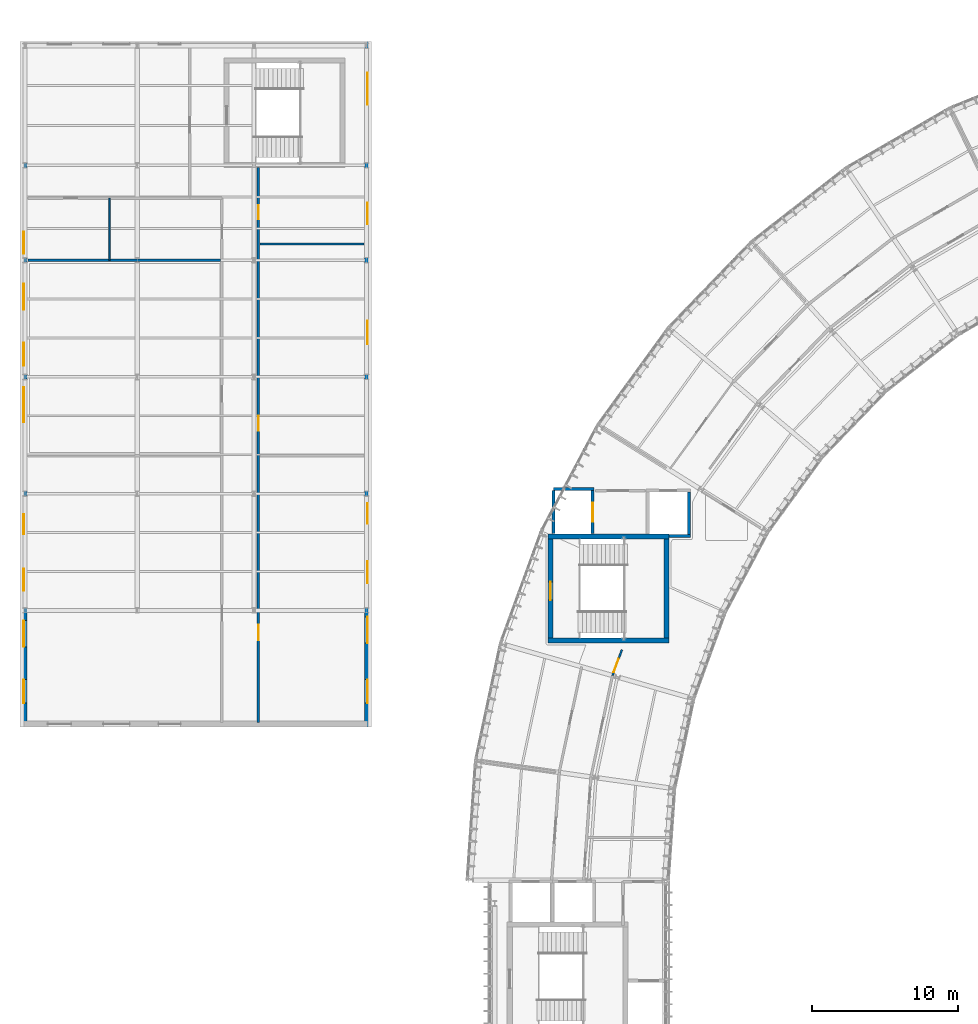
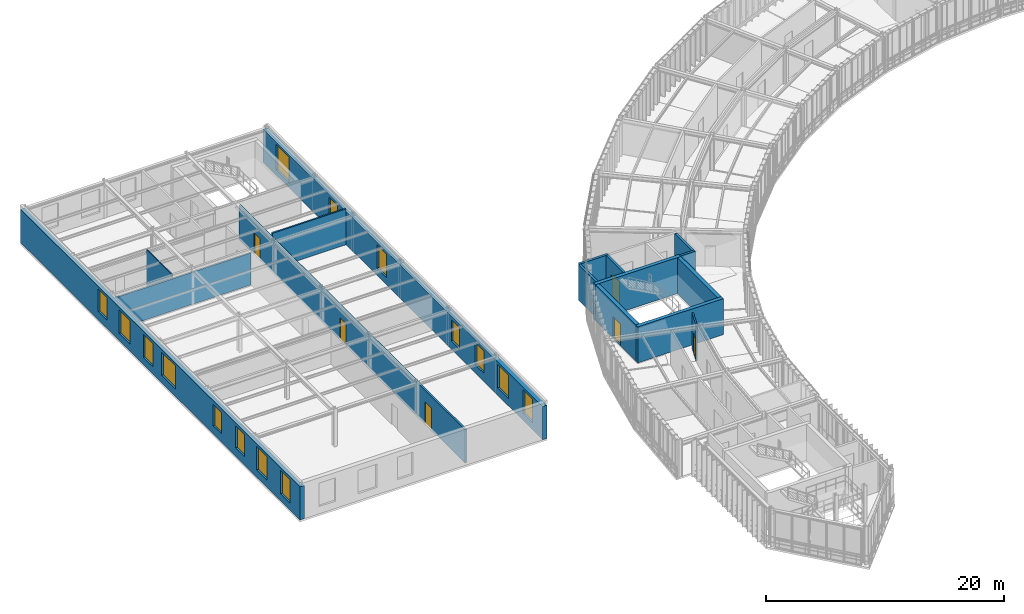
# One storey, part 28 of 41: 16 walls, 15 windows, 6 doors, 21 openings.
"""IFC4 building model written with IfcOpenShell, lengths in metres."""

from ifc_helpers import new_model, si_unit, direction, frame, frame_2d, origin, place, context, subcontext, project, spatial, rectangle, extrude, material, layer, layer_set, type_object, element, fill, save


model = new_model("IFC4")

# Units and contexts
model_context = context("Model", 3, precision=1e-05, world=origin(), true_north=direction((0.0, 1.0)))
body_context = subcontext(model_context, "Body", "Model", "MODEL_VIEW")
ifc_project = project(units=[si_unit("LENGTHUNIT", "METRE"), si_unit("AREAUNIT", "SQUARE_METRE"), si_unit("VOLUMEUNIT", "CUBIC_METRE"), si_unit("PLANEANGLEUNIT", "RADIAN"), si_unit("MASSUNIT", "GRAM", prefix="KILO"), si_unit("THERMODYNAMICTEMPERATUREUNIT", "KELVIN"), si_unit("POWERUNIT", "WATT")], contexts=[model_context])

# Site, building, storey
site_placement = place(None, origin())
site = spatial("IfcSite", under=ifc_project, at=site_placement, CompositionType="ELEMENT")
building_placement = place(site_placement, origin())
building = spatial("IfcBuilding", under=site, at=building_placement, Name="Solvatero Civic Police Headquarters", CompositionType="ELEMENT")
storey_placement = place(building_placement, frame((0.0, 0.0, 17.699951171875)))
storey = spatial("IfcBuildingStorey", under=building, at=storey_placement, Name="L04", CompositionType="ELEMENT", Elevation=17.699951171875)

# Wall, openings, windows
ifc_material_1 = material(Name="Cream Limestone Ashlar", Category="masonry")
ifc_layer_1 = layer(ifc_material_1, 0.419921875)
ifc_layer_set_1 = layer_set([ifc_layer_1], Name="Cream Limestone Ashlar")
wall_type_1 = type_object("IfcWallType", Name="WL-EXT-LIME-420", PredefinedType="SOLIDWALL", material=ifc_layer_set_1)
wall_1_placement = place(storey_placement, frame((4.719970703125, 36.5, 0.0), z_axis=(0.0, 0.0, 1.0), x_axis=(0.0, 1.0, 0.0)))
wall_1 = element("IfcWall", 1, at=wall_1_placement, inside=storey, type_object=wall_type_1, Name="Exterior Wall WLE-L04-V6-W", PredefinedType="SOLIDWALL", context=body_context, shape_type="SweptSolid", body=[
    extrude(rectangle(XDim=47.0, YDim=0.419921875, at=frame_2d((23.5, 0.0))), origin(), (0.0, 0.0, 1.0), 3.420166015625),
])
opening_1_placement = place(wall_1_placement, frame((1.64990234375, 0.0, 0.739990234375)))
opening_1 = element("IfcOpeningElement", 2, at=opening_1_placement, cuts=wall_1, Name="Opening W-04", PredefinedType="OPENING", context=body_context, shape_type="SweptSolid", body=[
    extrude(rectangle(XDim=1.60009765625, YDim=2.39990234375, at=frame_2d((0.800048828125, 1.199951171875))), frame((0.0, 0.219970703125, 0.0), z_axis=(0.0, -1.0, 0.0), x_axis=(1.0, 0.0, 0.0)), (0.0, 0.0, 1.0), 0.43994140625),
])
opening_2_placement = place(wall_1_placement, frame((5.5, 0.0, 0.739990234375)))
opening_2 = element("IfcOpeningElement", 3, at=opening_2_placement, cuts=wall_1, Name="Opening W-05", PredefinedType="OPENING", context=body_context, shape_type="SweptSolid", body=[
    extrude(rectangle(XDim=1.800048828125, YDim=2.39990234375, at=frame_2d((0.89990234375, 1.199951171875))), frame((0.0, 0.219970703125, 0.0), z_axis=(0.0, -1.0, 0.0), x_axis=(1.0, 0.0, 0.0)), (0.0, 0.0, 1.0), 0.43994140625),
])
opening_3_placement = place(wall_1_placement, frame((9.35009765625, 0.0, 0.840087890625)))
opening_3 = element("IfcOpeningElement", 4, at=opening_3_placement, cuts=wall_1, Name="Opening W-03", PredefinedType="OPENING", context=body_context, shape_type="SweptSolid", body=[
    extrude(rectangle(XDim=1.5, YDim=2.300048828125, at=frame_2d((0.75, 1.14990234375))), frame((0.0, 0.219970703125, 0.0), z_axis=(0.0, -1.0, 0.0), x_axis=(1.0, 0.0, 0.0)), (0.0, 0.0, 1.0), 0.43994140625),
])
opening_4_placement = place(wall_1_placement, frame((13.199951171875, 0.0, 0.85009765625)))
opening_4 = element("IfcOpeningElement", 5, at=opening_4_placement, cuts=wall_1, Name="Opening W-02", PredefinedType="OPENING", context=body_context, shape_type="SweptSolid", body=[
    extrude(rectangle(XDim=1.39990234375, YDim=2.199951171875, at=frame_2d((0.699951171875, 1.10009765625))), frame((0.0, 0.219970703125, 0.0), z_axis=(0.0, -1.0, 0.0), x_axis=(1.0, 0.0, 0.0)), (0.0, 0.0, 1.0), 0.43994140625),
])
opening_5_placement = place(wall_1_placement, frame((20.89990234375, 0.0, 0.739990234375)))
opening_5 = element("IfcOpeningElement", 6, at=opening_5_placement, cuts=wall_1, Name="Opening W-08", PredefinedType="OPENING", context=body_context, shape_type="SweptSolid", body=[
    extrude(rectangle(XDim=2.39990234375, YDim=2.39990234375, at=frame_2d((1.199951171875, 1.199951171875))), frame((0.0, 0.219970703125, 0.0), z_axis=(0.0, -1.0, 0.0), x_axis=(1.0, 0.0, 0.0)), (0.0, 0.0, 1.0), 0.43994140625),
])
opening_6_placement = place(wall_1_placement, frame((24.75, 0.0, 0.739990234375)))
opening_6 = element("IfcOpeningElement", 7, at=opening_6_placement, cuts=wall_1, Name="Opening W-04", PredefinedType="OPENING", context=body_context, shape_type="SweptSolid", body=[
    extrude(rectangle(XDim=1.60009765625, YDim=2.39990234375, at=frame_2d((0.800048828125, 1.199951171875))), frame((0.0, 0.219970703125, 0.0), z_axis=(0.0, -1.0, 0.0), x_axis=(1.0, 0.0, 0.0)), (0.0, 0.0, 1.0), 0.43994140625),
])
opening_7_placement = place(wall_1_placement, frame((28.60009765625, 0.0, 0.739990234375)))
opening_7 = element("IfcOpeningElement", 8, at=opening_7_placement, cuts=wall_1, Name="Opening W-05", PredefinedType="OPENING", context=body_context, shape_type="SweptSolid", body=[
    extrude(rectangle(XDim=1.800048828125, YDim=2.39990234375, at=frame_2d((0.89990234375, 1.199951171875))), frame((0.0, 0.219970703125, 0.0), z_axis=(0.0, -1.0, 0.0), x_axis=(1.0, 0.0, 0.0)), (0.0, 0.0, 1.0), 0.43994140625),
])
opening_8_placement = place(wall_1_placement, frame((32.449951171875, 0.0, 0.840087890625)))
opening_8 = element("IfcOpeningElement", 9, at=opening_8_placement, cuts=wall_1, Name="Opening W-03", PredefinedType="OPENING", context=body_context, shape_type="SweptSolid", body=[
    extrude(rectangle(XDim=1.5, YDim=2.300048828125, at=frame_2d((0.75, 1.14990234375))), frame((0.0, 0.219970703125, 0.0), z_axis=(0.0, -1.0, 0.0), x_axis=(1.0, 0.0, 0.0)), (0.0, 0.0, 1.0), 0.43994140625),
])
ifc_material_2 = material(Name="Anodized Bronze Aluminium", Category="aluminium")
window_type_1 = type_object("IfcWindowType", Name="WN-CL-140x220", PartitioningType="SINGLE_PANEL", PredefinedType="WINDOW", material=ifc_material_2)
window_1_placement = place(opening_4_placement, origin())
window_1 = element("IfcWindow", 10, at=window_1_placement, inside=storey, type_object=window_type_1, Name="Exterior Window 0113", OverallHeight=2.199951171875, OverallWidth=1.39990234375, PartitioningType="SINGLE_PANEL", PredefinedType="WINDOW", context=body_context, shape_type="SweptSolid", body=[
    extrude(rectangle(XDim=1.39990234375, YDim=2.199951171875, at=frame_2d((0.699951171875, 1.10009765625))), frame((0.0, 0.030029296875, 0.0), z_axis=(0.0, -1.0, 0.0), x_axis=(1.0, 0.0, 0.0)), (0.0, 0.0, 1.0), 0.06005859375),
])
fill(opening_4, window_1)
window_type_2 = type_object("IfcWindowType", Name="WN-CL-150x230", PartitioningType="SINGLE_PANEL", PredefinedType="WINDOW", material=ifc_material_2)
window_2_placement = place(opening_3_placement, origin())
window_2 = element("IfcWindow", 11, at=window_2_placement, inside=storey, type_object=window_type_2, Name="Exterior Window 0112", OverallHeight=2.300048828125, OverallWidth=1.5, PartitioningType="SINGLE_PANEL", PredefinedType="WINDOW", context=body_context, shape_type="SweptSolid", body=[
    extrude(rectangle(XDim=1.5, YDim=2.300048828125, at=frame_2d((0.75, 1.14990234375))), frame((0.0, 0.030029296875, 0.0), z_axis=(0.0, -1.0, 0.0), x_axis=(1.0, 0.0, 0.0)), (0.0, 0.0, 1.0), 0.06005859375),
])
fill(opening_3, window_2)
window_3_placement = place(opening_8_placement, origin())
window_3 = element("IfcWindow", 12, at=window_3_placement, inside=storey, type_object=window_type_2, Name="Exterior Window 0117", OverallHeight=2.300048828125, OverallWidth=1.5, PartitioningType="SINGLE_PANEL", PredefinedType="WINDOW", context=body_context, shape_type="SweptSolid", body=[
    extrude(rectangle(XDim=1.5, YDim=2.300048828125, at=frame_2d((0.75, 1.14990234375))), frame((0.0, 0.030029296875, 0.0), z_axis=(0.0, -1.0, 0.0), x_axis=(1.0, 0.0, 0.0)), (0.0, 0.0, 1.0), 0.06005859375),
])
fill(opening_8, window_3)
window_type_3 = type_object("IfcWindowType", Name="WN-CL-160x240", PartitioningType="SINGLE_PANEL", PredefinedType="WINDOW", material=ifc_material_2)
window_4_placement = place(opening_1_placement, origin())
window_4 = element("IfcWindow", 13, at=window_4_placement, inside=storey, type_object=window_type_3, Name="Exterior Window 0110", OverallHeight=2.39990234375, OverallWidth=1.60009765625, PartitioningType="SINGLE_PANEL", PredefinedType="WINDOW", context=body_context, shape_type="SweptSolid", body=[
    extrude(rectangle(XDim=1.60009765625, YDim=2.39990234375, at=frame_2d((0.800048828125, 1.199951171875))), frame((0.0, 0.030029296875, 0.0), z_axis=(0.0, -1.0, 0.0), x_axis=(1.0, 0.0, 0.0)), (0.0, 0.0, 1.0), 0.06005859375),
])
fill(opening_1, window_4)
window_5_placement = place(opening_6_placement, origin())
window_5 = element("IfcWindow", 14, at=window_5_placement, inside=storey, type_object=window_type_3, Name="Exterior Window 0115", OverallHeight=2.39990234375, OverallWidth=1.60009765625, PartitioningType="SINGLE_PANEL", PredefinedType="WINDOW", context=body_context, shape_type="SweptSolid", body=[
    extrude(rectangle(XDim=1.60009765625, YDim=2.39990234375, at=frame_2d((0.800048828125, 1.199951171875))), frame((0.0, 0.030029296875, 0.0), z_axis=(0.0, -1.0, 0.0), x_axis=(1.0, 0.0, 0.0)), (0.0, 0.0, 1.0), 0.06005859375),
])
fill(opening_6, window_5)
window_type_4 = type_object("IfcWindowType", Name="WN-CL-180x240", PartitioningType="SINGLE_PANEL", PredefinedType="WINDOW", material=ifc_material_2)
window_6_placement = place(opening_2_placement, origin())
window_6 = element("IfcWindow", 15, at=window_6_placement, inside=storey, type_object=window_type_4, Name="Exterior Window 0111", OverallHeight=2.39990234375, OverallWidth=1.800048828125, PartitioningType="SINGLE_PANEL", PredefinedType="WINDOW", context=body_context, shape_type="SweptSolid", body=[
    extrude(rectangle(XDim=1.800048828125, YDim=2.39990234375, at=frame_2d((0.89990234375, 1.199951171875))), frame((0.0, 0.030029296875, 0.0), z_axis=(0.0, -1.0, 0.0), x_axis=(1.0, 0.0, 0.0)), (0.0, 0.0, 1.0), 0.06005859375),
])
fill(opening_2, window_6)
window_7_placement = place(opening_7_placement, origin())
window_7 = element("IfcWindow", 16, at=window_7_placement, inside=storey, type_object=window_type_4, Name="Exterior Window 0116", OverallHeight=2.39990234375, OverallWidth=1.800048828125, PartitioningType="SINGLE_PANEL", PredefinedType="WINDOW", context=body_context, shape_type="SweptSolid", body=[
    extrude(rectangle(XDim=1.800048828125, YDim=2.39990234375, at=frame_2d((0.89990234375, 1.199951171875))), frame((0.0, 0.030029296875, 0.0), z_axis=(0.0, -1.0, 0.0), x_axis=(1.0, 0.0, 0.0)), (0.0, 0.0, 1.0), 0.06005859375),
])
fill(opening_7, window_7)
window_type_5 = type_object("IfcWindowType", Name="WN-CL-240x240", PartitioningType="SINGLE_PANEL", PredefinedType="WINDOW", material=ifc_material_2)
window_8_placement = place(opening_5_placement, origin())
window_8 = element("IfcWindow", 17, at=window_8_placement, inside=storey, type_object=window_type_5, Name="Exterior Window 0114", OverallHeight=2.39990234375, OverallWidth=2.39990234375, PartitioningType="SINGLE_PANEL", PredefinedType="WINDOW", context=body_context, shape_type="SweptSolid", body=[
    extrude(rectangle(XDim=2.39990234375, YDim=2.39990234375, at=frame_2d((1.199951171875, 1.199951171875))), frame((0.0, 0.030029296875, 0.0), z_axis=(0.0, -1.0, 0.0), x_axis=(1.0, 0.0, 0.0)), (0.0, 0.0, 1.0), 0.06005859375),
])
fill(opening_5, window_8)

wall_2_placement = place(storey_placement, frame((28.280029296875, 36.5, 0.0), z_axis=(0.0, 0.0, 1.0), x_axis=(0.0, 1.0, 0.0)))
wall_2 = element("IfcWall", 18, at=wall_2_placement, inside=storey, type_object=wall_type_1, Name="Exterior Wall WLE-L04-V6-E", PredefinedType="SOLIDWALL", context=body_context, shape_type="SweptSolid", body=[
    extrude(rectangle(XDim=47.0, YDim=0.419921875, at=frame_2d((23.5, 0.0))), origin(), (0.0, 0.0, 1.0), 3.420166015625),
])
opening_9_placement = place(wall_2_placement, frame((1.64990234375, 0.0, 0.739990234375)))
opening_9 = element("IfcOpeningElement", 19, at=opening_9_placement, cuts=wall_2, Name="Opening W-04", PredefinedType="OPENING", context=body_context, shape_type="SweptSolid", body=[
    extrude(rectangle(XDim=1.60009765625, YDim=2.39990234375, at=frame_2d((0.800048828125, 1.199951171875))), frame((0.0, 0.219970703125, 0.0), z_axis=(0.0, -1.0, 0.0), x_axis=(1.0, 0.0, 0.0)), (0.0, 0.0, 1.0), 0.43994140625),
])
opening_10_placement = place(wall_2_placement, frame((5.75, 0.0, 0.739990234375)))
opening_10 = element("IfcOpeningElement", 20, at=opening_10_placement, cuts=wall_2, Name="Opening W-05", PredefinedType="OPENING", context=body_context, shape_type="SweptSolid", body=[
    extrude(rectangle(XDim=1.800048828125, YDim=2.39990234375, at=frame_2d((0.89990234375, 1.199951171875))), frame((0.0, 0.219970703125, 0.0), z_axis=(0.0, -1.0, 0.0), x_axis=(1.0, 0.0, 0.0)), (0.0, 0.0, 1.0), 0.43994140625),
])
opening_11_placement = place(wall_2_placement, frame((9.85009765625, 0.0, 0.840087890625)))
opening_11 = element("IfcOpeningElement", 21, at=opening_11_placement, cuts=wall_2, Name="Opening W-03", PredefinedType="OPENING", context=body_context, shape_type="SweptSolid", body=[
    extrude(rectangle(XDim=1.5, YDim=2.300048828125, at=frame_2d((0.75, 1.14990234375))), frame((0.0, 0.219970703125, 0.0), z_axis=(0.0, -1.0, 0.0), x_axis=(1.0, 0.0, 0.0)), (0.0, 0.0, 1.0), 0.43994140625),
])
opening_12_placement = place(wall_2_placement, frame((13.949951171875, 0.0, 0.85009765625)))
opening_12 = element("IfcOpeningElement", 22, at=opening_12_placement, cuts=wall_2, Name="Opening W-02", PredefinedType="OPENING", context=body_context, shape_type="SweptSolid", body=[
    extrude(rectangle(XDim=1.39990234375, YDim=2.199951171875, at=frame_2d((0.699951171875, 1.10009765625))), frame((0.0, 0.219970703125, 0.0), z_axis=(0.0, -1.0, 0.0), x_axis=(1.0, 0.0, 0.0)), (0.0, 0.0, 1.0), 0.43994140625),
])
opening_13_placement = place(wall_2_placement, frame((26.25, 0.0, 0.739990234375)))
opening_13 = element("IfcOpeningElement", 23, at=opening_13_placement, cuts=wall_2, Name="Opening W-04", PredefinedType="OPENING", context=body_context, shape_type="SweptSolid", body=[
    extrude(rectangle(XDim=1.60009765625, YDim=2.39990234375, at=frame_2d((0.800048828125, 1.199951171875))), frame((0.0, 0.219970703125, 0.0), z_axis=(0.0, -1.0, 0.0), x_axis=(1.0, 0.0, 0.0)), (0.0, 0.0, 1.0), 0.43994140625),
])
opening_14_placement = place(wall_2_placement, frame((34.449951171875, 0.0, 0.840087890625)))
opening_14 = element("IfcOpeningElement", 24, at=opening_14_placement, cuts=wall_2, Name="Opening W-03", PredefinedType="OPENING", context=body_context, shape_type="SweptSolid", body=[
    extrude(rectangle(XDim=1.5, YDim=2.300048828125, at=frame_2d((0.75, 1.14990234375))), frame((0.0, 0.219970703125, 0.0), z_axis=(0.0, -1.0, 0.0), x_axis=(1.0, 0.0, 0.0)), (0.0, 0.0, 1.0), 0.43994140625),
])
opening_15_placement = place(wall_2_placement, frame((42.64990234375, 0.0, 0.5400390625)))
opening_15 = element("IfcOpeningElement", 25, at=opening_15_placement, cuts=wall_2, Name="Opening W-07", PredefinedType="OPENING", context=body_context, shape_type="SweptSolid", body=[
    extrude(rectangle(XDim=2.199951171875, YDim=2.60009765625, at=frame_2d((1.10009765625, 1.300048828125))), frame((0.0, 0.219970703125, 0.0), z_axis=(0.0, -1.0, 0.0), x_axis=(1.0, 0.0, 0.0)), (0.0, 0.0, 1.0), 0.43994140625),
])
window_9_placement = place(opening_12_placement, origin())
window_9 = element("IfcWindow", 26, at=window_9_placement, inside=storey, type_object=window_type_1, Name="Exterior Window 0106", OverallHeight=2.199951171875, OverallWidth=1.39990234375, PartitioningType="SINGLE_PANEL", PredefinedType="WINDOW", context=body_context, shape_type="SweptSolid", body=[
    extrude(rectangle(XDim=1.39990234375, YDim=2.199951171875, at=frame_2d((0.699951171875, 1.10009765625))), frame((0.0, 0.030029296875, 0.0), z_axis=(0.0, -1.0, 0.0), x_axis=(1.0, 0.0, 0.0)), (0.0, 0.0, 1.0), 0.06005859375),
])
fill(opening_12, window_9)
window_10_placement = place(opening_11_placement, origin())
window_10 = element("IfcWindow", 27, at=window_10_placement, inside=storey, type_object=window_type_2, Name="Exterior Window 0105", OverallHeight=2.300048828125, OverallWidth=1.5, PartitioningType="SINGLE_PANEL", PredefinedType="WINDOW", context=body_context, shape_type="SweptSolid", body=[
    extrude(rectangle(XDim=1.5, YDim=2.300048828125, at=frame_2d((0.75, 1.14990234375))), frame((0.0, 0.030029296875, 0.0), z_axis=(0.0, -1.0, 0.0), x_axis=(1.0, 0.0, 0.0)), (0.0, 0.0, 1.0), 0.06005859375),
])
fill(opening_11, window_10)
window_11_placement = place(opening_14_placement, origin())
window_11 = element("IfcWindow", 28, at=window_11_placement, inside=storey, type_object=window_type_2, Name="Exterior Window 0108", OverallHeight=2.300048828125, OverallWidth=1.5, PartitioningType="SINGLE_PANEL", PredefinedType="WINDOW", context=body_context, shape_type="SweptSolid", body=[
    extrude(rectangle(XDim=1.5, YDim=2.300048828125, at=frame_2d((0.75, 1.14990234375))), frame((0.0, 0.030029296875, 0.0), z_axis=(0.0, -1.0, 0.0), x_axis=(1.0, 0.0, 0.0)), (0.0, 0.0, 1.0), 0.06005859375),
])
fill(opening_14, window_11)
window_12_placement = place(opening_9_placement, origin())
window_12 = element("IfcWindow", 29, at=window_12_placement, inside=storey, type_object=window_type_3, Name="Exterior Window 0103", OverallHeight=2.39990234375, OverallWidth=1.60009765625, PartitioningType="SINGLE_PANEL", PredefinedType="WINDOW", context=body_context, shape_type="SweptSolid", body=[
    extrude(rectangle(XDim=1.60009765625, YDim=2.39990234375, at=frame_2d((0.800048828125, 1.199951171875))), frame((0.0, 0.030029296875, 0.0), z_axis=(0.0, -1.0, 0.0), x_axis=(1.0, 0.0, 0.0)), (0.0, 0.0, 1.0), 0.06005859375),
])
fill(opening_9, window_12)
window_13_placement = place(opening_13_placement, origin())
window_13 = element("IfcWindow", 30, at=window_13_placement, inside=storey, type_object=window_type_3, Name="Exterior Window 0107", OverallHeight=2.39990234375, OverallWidth=1.60009765625, PartitioningType="SINGLE_PANEL", PredefinedType="WINDOW", context=body_context, shape_type="SweptSolid", body=[
    extrude(rectangle(XDim=1.60009765625, YDim=2.39990234375, at=frame_2d((0.800048828125, 1.199951171875))), frame((0.0, 0.030029296875, 0.0), z_axis=(0.0, -1.0, 0.0), x_axis=(1.0, 0.0, 0.0)), (0.0, 0.0, 1.0), 0.06005859375),
])
fill(opening_13, window_13)
window_14_placement = place(opening_10_placement, origin())
window_14 = element("IfcWindow", 31, at=window_14_placement, inside=storey, type_object=window_type_4, Name="Exterior Window 0104", OverallHeight=2.39990234375, OverallWidth=1.800048828125, PartitioningType="SINGLE_PANEL", PredefinedType="WINDOW", context=body_context, shape_type="SweptSolid", body=[
    extrude(rectangle(XDim=1.800048828125, YDim=2.39990234375, at=frame_2d((0.89990234375, 1.199951171875))), frame((0.0, 0.030029296875, 0.0), z_axis=(0.0, -1.0, 0.0), x_axis=(1.0, 0.0, 0.0)), (0.0, 0.0, 1.0), 0.06005859375),
])
fill(opening_10, window_14)
window_type_6 = type_object("IfcWindowType", Name="WN-CL-220x260", PartitioningType="SINGLE_PANEL", PredefinedType="WINDOW", material=ifc_material_2)
window_15_placement = place(opening_15_placement, origin())
window_15 = element("IfcWindow", 32, at=window_15_placement, inside=storey, type_object=window_type_6, Name="Exterior Window 0109", OverallHeight=2.60009765625, OverallWidth=2.199951171875, PartitioningType="SINGLE_PANEL", PredefinedType="WINDOW", context=body_context, shape_type="SweptSolid", body=[
    extrude(rectangle(XDim=2.199951171875, YDim=2.60009765625, at=frame_2d((1.10009765625, 1.300048828125))), frame((0.0, 0.030029296875, 0.0), z_axis=(0.0, -1.0, 0.0), x_axis=(1.0, 0.0, 0.0)), (0.0, 0.0, 1.0), 0.06005859375),
])
fill(opening_15, window_15)

# Wall
ifc_material_3 = material(Name="Gypsum Acoustic Stud", Category="gypsum")
ifc_layer_2 = layer(ifc_material_3, 0.10009765625)
ifc_layer_set_2 = layer_set([ifc_layer_2], Name="Gypsum Acoustic Stud")
wall_type_2 = type_object("IfcWallType", Name="WL-PTN-100", PredefinedType="PARTITIONING", material=ifc_layer_set_2)
wall_3_placement = place(storey_placement, frame((10.60009765625, 68.5, 0.0), z_axis=(0.0, 0.0, 1.0), x_axis=(0.0, 1.0, 0.0)))
element("IfcWall", 33, at=wall_3_placement, inside=storey, type_object=wall_type_2, Name="Interior Partition WLP-L04-WC-M", PredefinedType="PARTITIONING", context=body_context, shape_type="SweptSolid", body=[
    extrude(rectangle(XDim=4.25, YDim=0.10009765625, at=frame_2d((2.125, 0.0))), origin(), (0.0, 0.0, 1.0), 3.679931640625),
])

# Wall, opening, door
ifc_material_4 = material(Name="Gypsum Double-Stud", Category="gypsum")
ifc_layer_3 = layer(ifc_material_4, 0.135009765625)
ifc_layer_set_3 = layer_set([ifc_layer_3], Name="Gypsum Double-Stud")
wall_type_3 = type_object("IfcWallType", Name="WL-PTN-135", PredefinedType="PARTITIONING", material=ifc_layer_set_3)
wall_4_placement = place(storey_placement, frame((45.716064453125, 41.800048828125, 0.0), z_axis=(0.0, 0.0, 1.0), x_axis=(-0.342003187451, -0.939698792046, 0.0)))
wall_4 = element("IfcWall", 34, at=wall_4_placement, inside=storey, type_object=wall_type_3, Name="Interior Partition WLP-L04-ARC-CIN-B10", PredefinedType="PARTITIONING", context=body_context, shape_type="SweptSolid", body=[
    extrude(rectangle(XDim=1.8837890625, YDim=0.135009765625, at=frame_2d((0.94189453125, 0.0))), origin(), (0.0, 0.0, 1.0), 3.679931640625),
])
opening_16_placement = place(wall_4_placement, frame((0.6640625, 0.0, 0.0)))
opening_16 = element("IfcOpeningElement", 35, at=opening_16_placement, cuts=wall_4, Name="Opening ID-05", PredefinedType="OPENING", context=body_context, shape_type="SweptSolid", body=[
    extrude(rectangle(XDim=0.97998046875, YDim=2.159912109375, at=frame_2d((0.489990234375, 1.080078125))), frame((0.0, 0.077392578125, 0.0), z_axis=(0.0, -1.0, 0.0), x_axis=(1.0, 0.0, 0.0)), (0.0, 0.0, 1.0), 0.155029296875),
])
ifc_material_5 = material(Name="Powder-Coated Steel", Category="steel")
door_type_1 = type_object("IfcDoorType", Name="DR-OFF-098x216", OperationType="NOTDEFINED", PredefinedType="DOOR", material=ifc_material_5)
door_1_placement = place(opening_16_placement, origin())
door_1 = element("IfcDoor", 36, at=door_1_placement, inside=storey, type_object=door_type_1, Name="Interior Door DR-L04-ARC-IN-B10", OperationType="SINGLE_SWING_RIGHT", OverallHeight=2.159912109375, OverallWidth=0.97998046875, PredefinedType="DOOR", context=body_context, shape_type="SweptSolid", body=[
    extrude(rectangle(XDim=0.97998046875, YDim=2.159912109375, at=frame_2d((0.489990234375, 1.080078125))), frame((0.0, 0.02490234375, 0.0), z_axis=(0.0, -1.0, 0.0), x_axis=(1.0, 0.0, 0.0)), (0.0, 0.0, 1.0), 0.050048828125),
])
fill(opening_16, door_1)

# Walls
ifc_layer_4 = layer(ifc_material_3, 0.14990234375)
ifc_layer_set_4 = layer_set([ifc_layer_4], Name="Gypsum Acoustic Stud")
wall_type_4 = type_object("IfcWallType", Name="WL-PTN-150", PredefinedType="PARTITIONING", material=ifc_layer_set_4)
wall_5_placement = place(storey_placement, frame((5.0, 68.5, 0.0), z_axis=(0.0, 0.0, 1.0), x_axis=(1.0, 0.0, 0.0)))
element("IfcWall", 37, at=wall_5_placement, inside=storey, type_object=wall_type_4, Name="Interior Partition WLP-L04-WC-S", PredefinedType="PARTITIONING", context=body_context, shape_type="SweptSolid", body=[
    extrude(rectangle(XDim=13.199951171875, YDim=0.14990234375, at=frame_2d((6.60009765625, 0.0))), origin(), (0.0, 0.0, 1.0), 3.2900390625),
])
wall_6_placement = place(storey_placement, frame((20.89990234375, 69.60009765625, 0.0), z_axis=(0.0, 0.0, 1.0), x_axis=(1.0, 0.0, 0.0)))
element("IfcWall", 38, at=wall_6_placement, inside=storey, type_object=wall_type_4, Name="Interior Partition WLP-L04-WCA-S", PredefinedType="PARTITIONING", context=body_context, shape_type="SweptSolid", body=[
    extrude(rectangle(XDim=7.150146484375, YDim=0.14990234375, at=frame_2d((3.5751953125, 0.0))), origin(), (0.0, 0.0, 1.0), 3.679931640625),
])

# Wall, openings, doors
ifc_material_6 = material(Name="Concrete Blockwork", Category="masonry")
ifc_layer_5 = layer(ifc_material_6, 0.179931640625)
ifc_layer_set_5 = layer_set([ifc_layer_5], Name="Concrete Blockwork")
wall_type_5 = type_object("IfcWallType", Name="WL-PTN-180", PredefinedType="PARTITIONING", material=ifc_layer_set_5)
wall_7_placement = place(storey_placement, frame((20.800048828125, 36.800048828125, 0.0), z_axis=(0.0, 0.0, 1.0), x_axis=(0.0, 1.0, 0.0)))
wall_7 = element("IfcWall", 39, at=wall_7_placement, inside=storey, type_object=wall_type_5, Name="Interior Partition WLP-L04-V6-CE", PredefinedType="PARTITIONING", context=body_context, shape_type="SweptSolid", body=[
    extrude(rectangle(XDim=38.050048828125, YDim=0.179931640625, at=frame_2d((19.02490234375, 0.0))), origin(), (0.0, 0.0, 1.0), 3.41796875),
])
opening_17_placement = place(wall_7_placement, frame((5.64990234375, 0.0, 0.0)))
opening_17 = element("IfcOpeningElement", 40, at=opening_17_placement, cuts=wall_7, Name="Opening ID-08", PredefinedType="OPENING", context=body_context, shape_type="SweptSolid", body=[
    extrude(rectangle(XDim=1.080078125, YDim=2.219970703125, at=frame_2d((0.5400390625, 1.10986328125))), frame((0.0, 0.099853515625, 0.0), z_axis=(0.0, -1.0, 0.0), x_axis=(1.0, 0.0, 0.0)), (0.0, 0.0, 1.0), 0.199951171875),
])
opening_18_placement = place(wall_7_placement, frame((20.0, 0.0, 0.0)))
opening_18 = element("IfcOpeningElement", 41, at=opening_18_placement, cuts=wall_7, Name="Opening ID-07", PredefinedType="OPENING", context=body_context, shape_type="SweptSolid", body=[
    extrude(rectangle(XDim=1.050048828125, YDim=2.199951171875, at=frame_2d((0.52490234375, 1.10009765625))), frame((0.0, 0.099853515625, 0.0), z_axis=(0.0, -1.0, 0.0), x_axis=(1.0, 0.0, 0.0)), (0.0, 0.0, 1.0), 0.199951171875),
])
opening_19_placement = place(wall_7_placement, frame((34.5, 0.0, 0.0)))
opening_19 = element("IfcOpeningElement", 42, at=opening_19_placement, cuts=wall_7, Name="Opening ID-04", PredefinedType="OPENING", context=body_context, shape_type="SweptSolid", body=[
    extrude(rectangle(XDim=0.949951171875, YDim=2.14990234375, at=frame_2d((0.47509765625, 1.074951171875))), frame((0.0, 0.099853515625, 0.0), z_axis=(0.0, -1.0, 0.0), x_axis=(1.0, 0.0, 0.0)), (0.0, 0.0, 1.0), 0.199951171875),
])
ifc_material_7 = material(Name="Acoustic Oak Timber Veneer", Category="wood")
door_type_2 = type_object("IfcDoorType", Name="DR-ACC-095x215", OperationType="NOTDEFINED", PredefinedType="DOOR", material=ifc_material_7)
door_2_placement = place(opening_19_placement, origin())
door_2 = element("IfcDoor", 43, at=door_2_placement, inside=storey, type_object=door_type_2, Name="Interior Door DR-L04-WCA", OperationType="SINGLE_SWING_RIGHT", OverallHeight=2.14990234375, OverallWidth=0.949951171875, PredefinedType="DOOR", context=body_context, shape_type="SweptSolid", body=[
    extrude(rectangle(XDim=0.949951171875, YDim=2.14990234375, at=frame_2d((0.47509765625, 1.074951171875))), frame((0.0, 0.02490234375, 0.0), z_axis=(0.0, -1.0, 0.0), x_axis=(1.0, 0.0, 0.0)), (0.0, 0.0, 1.0), 0.050048828125),
])
fill(opening_19, door_2)
door_type_3 = type_object("IfcDoorType", Name="DR-LAB-105x220", OperationType="NOTDEFINED", PredefinedType="DOOR", material=ifc_material_5)
door_3_placement = place(opening_18_placement, origin())
door_3 = element("IfcDoor", 44, at=door_3_placement, inside=storey, type_object=door_type_3, Name="Interior Door DR-L04-V6-NE", OperationType="SINGLE_SWING_LEFT", OverallHeight=2.199951171875, OverallWidth=1.050048828125, PredefinedType="DOOR", context=body_context, shape_type="SweptSolid", body=[
    extrude(rectangle(XDim=1.050048828125, YDim=2.199951171875, at=frame_2d((0.52490234375, 1.10009765625))), frame((0.0, 0.02490234375, 0.0), z_axis=(0.0, -1.0, 0.0), x_axis=(1.0, 0.0, 0.0)), (0.0, 0.0, 1.0), 0.050048828125),
])
fill(opening_18, door_3)
door_type_4 = type_object("IfcDoorType", Name="DR-LAB-108x222", OperationType="NOTDEFINED", PredefinedType="DOOR", material=ifc_material_5)
door_4_placement = place(opening_17_placement, origin())
door_4 = element("IfcDoor", 45, at=door_4_placement, inside=storey, type_object=door_type_4, Name="Interior Door DR-L04-V6-SE", OperationType="SINGLE_SWING_RIGHT", OverallHeight=2.219970703125, OverallWidth=1.080078125, PredefinedType="DOOR", context=body_context, shape_type="SweptSolid", body=[
    extrude(rectangle(XDim=1.080078125, YDim=2.219970703125, at=frame_2d((0.5400390625, 1.10986328125))), frame((0.0, 0.02490234375, 0.0), z_axis=(0.0, -1.0, 0.0), x_axis=(1.0, 0.0, 0.0)), (0.0, 0.0, 1.0), 0.050048828125),
])
fill(opening_17, door_4)

# Walls
ifc_material_8 = material(Name="Concrete C35/45", Category="concrete")
ifc_layer_6 = layer(ifc_material_8, 0.219970703125)
ifc_layer_set_6 = layer_set([ifc_layer_6], Name="Concrete C35/45")
wall_type_6 = type_object("IfcWallType", Name="WL-SHF-220", PredefinedType="PARTITIONING", material=ifc_layer_set_6)
wall_8_placement = place(storey_placement, frame((41.02001953125, 52.81005859375, 0.0), z_axis=(0.0, 0.0, 1.0), x_axis=(1.0, 0.0, 0.0)))
element("IfcWall", 46, at=wall_8_placement, inside=storey, type_object=wall_type_6, Name="Lift Shaft Wall WLS-FL-02-L04-N", PredefinedType="PARTITIONING", context=body_context, shape_type="SweptSolid", body=[
    extrude(rectangle(XDim=2.800048828125, YDim=0.219970703125, at=frame_2d((1.39990234375, 0.0))), origin(), (0.0, 0.0, 1.0), 3.679931640625),
])
wall_9_placement = place(storey_placement, frame((41.02001953125, 49.760009765625, 0.0), z_axis=(0.0, 0.0, 1.0), x_axis=(0.0, 1.0, 0.0)))
element("IfcWall", 47, at=wall_9_placement, inside=storey, type_object=wall_type_6, Name="Lift Shaft Wall WLS-FL-02-L04-W", PredefinedType="PARTITIONING", context=body_context, shape_type="SweptSolid", body=[
    extrude(rectangle(XDim=2.93994140625, YDim=0.219970703125, at=frame_2d((1.469970703125, 0.0))), origin(), (0.0, 0.0, 1.0), 3.679931640625),
])

# Wall, opening, door
wall_10_placement = place(storey_placement, frame((43.7099609375, 49.760009765625, 0.0), z_axis=(0.0, 0.0, 1.0), x_axis=(0.0, 1.0, 0.0)))
wall_10 = element("IfcWall", 48, at=wall_10_placement, inside=storey, type_object=wall_type_6, Name="Lift Shaft Wall WLS-FL-02-L04-E", PredefinedType="PARTITIONING", context=body_context, shape_type="SweptSolid", body=[
    extrude(rectangle(XDim=2.93994140625, YDim=0.219970703125, at=frame_2d((1.469970703125, 0.0))), origin(), (0.0, 0.0, 1.0), 3.679931640625),
])
opening_20_placement = place(wall_10_placement, frame((0.820068359375, 0.0, 0.0)))
opening_20 = element("IfcOpeningElement", 49, at=opening_20_placement, cuts=wall_10, Name="Opening LD-02", PredefinedType="OPENING", context=body_context, shape_type="SweptSolid", body=[
    extrude(rectangle(XDim=1.300048828125, YDim=2.199951171875, at=frame_2d((0.64990234375, 1.10009765625))), frame((0.0, 0.119873046875, 0.0), z_axis=(0.0, -1.0, 0.0), x_axis=(1.0, 0.0, 0.0)), (0.0, 0.0, 1.0), 0.239990234375),
])
ifc_material_9 = material(Name="Stainless Steel Grade 316", Category="steel")
door_type_5 = type_object("IfcDoorType", Name="DR-LFT-130x220", OperationType="DOUBLE_DOOR_SLIDING", PredefinedType="DOOR", material=ifc_material_9)
door_5_placement = place(opening_20_placement, origin())
door_5 = element("IfcDoor", 50, at=door_5_placement, inside=storey, type_object=door_type_5, Name="Interior Door DR-LFT-FL-02-L04", OperationType="DOUBLE_DOOR_SLIDING", OverallHeight=2.199951171875, OverallWidth=1.300048828125, PredefinedType="DOOR", context=body_context, shape_type="SweptSolid", body=[
    extrude(rectangle(XDim=1.300048828125, YDim=2.199951171875, at=frame_2d((0.64990234375, 1.10009765625))), frame((0.0, 0.02490234375, 0.0), z_axis=(0.0, -1.0, 0.0), x_axis=(1.0, 0.0, 0.0)), (0.0, 0.0, 1.0), 0.050048828125),
])
fill(opening_20, door_5)

# Walls
wall_11_placement = place(storey_placement, frame((48.9599609375, 49.590087890625, 0.0), z_axis=(0.0, 0.0, 1.0), x_axis=(1.0, 0.0, 0.0)))
element("IfcWall", 51, at=wall_11_placement, inside=storey, type_object=wall_type_6, Name="Lift Shaft Wall WLS-LP-03-L04-S", PredefinedType="PARTITIONING", context=body_context, shape_type="SweptSolid", body=[
    extrude(rectangle(XDim=1.4599609375, YDim=0.219970703125, at=frame_2d((0.72998046875, 0.0))), origin(), (0.0, 0.0, 1.0), 3.679931640625),
])
wall_12_placement = place(storey_placement, frame((50.31005859375, 49.699951171875, 0.0), z_axis=(0.0, 0.0, 1.0), x_axis=(0.0, 1.0, 0.0)))
element("IfcWall", 52, at=wall_12_placement, inside=storey, type_object=wall_type_6, Name="Lift Shaft Wall WLS-LP-03-L04-E", PredefinedType="PARTITIONING", context=body_context, shape_type="SweptSolid", body=[
    extrude(rectangle(XDim=2.900146484375, YDim=0.219970703125, at=frame_2d((1.4501953125, 0.0))), origin(), (0.0, 0.0, 1.0), 3.679931640625),
])
ifc_material_10 = material(Name="Concrete C40/50", Category="concrete")
ifc_layer_7 = layer(ifc_material_10, 0.35009765625)
ifc_layer_set_7 = layer_set([ifc_layer_7], Name="Concrete C40/50")
wall_type_7 = type_object("IfcWallType", Name="WL-SHR-350", PredefinedType="SHEAR", material=ifc_layer_set_7)
for number, where, z_axis, x_axis, name in (
    (53, (40.64990234375, 42.425048828125, 0.0), (0.0, 0.0, 1.0), (1.0, 0.0, 0.0), "Core C2 Shear Wall S L04"),
    (54, (40.64990234375, 49.574951171875, 0.0), (0.0, 0.0, 1.0), (1.0, 0.0, 0.0), "Core C2 Shear Wall N L04"),
):
    element("IfcWall", number, at=place(storey_placement, frame(where, z_axis=z_axis, x_axis=x_axis)), inside=storey, type_object=wall_type_7, Name=name, PredefinedType="SHEAR", context=body_context, shape_type="SweptSolid", body=[
        extrude(rectangle(XDim=8.300048828125, YDim=0.35009765625, at=frame_2d((4.14990234375, 0.0))), origin(), (0.0, 0.0, 1.0), 3.699951171875),
    ])

# Wall, opening, door
wall_13_placement = place(storey_placement, frame((40.824951171875, 42.60009765625, 0.0), z_axis=(0.0, 0.0, 1.0), x_axis=(0.0, 1.0, 0.0)))
wall_13 = element("IfcWall", 55, at=wall_13_placement, inside=storey, type_object=wall_type_7, Name="Core C2 Shear Wall W L04", PredefinedType="SHEAR", context=body_context, shape_type="SweptSolid", body=[
    extrude(rectangle(XDim=6.7998046875, YDim=0.35009765625, at=frame_2d((3.39990234375, 0.0))), origin(), (0.0, 0.0, 1.0), 3.699951171875),
])
opening_21_placement = place(wall_13_placement, frame((2.60009765625, 0.0, 0.0)))
opening_21 = element("IfcOpeningElement", 56, at=opening_21_placement, cuts=wall_13, Name="Opening FD-01", PredefinedType="OPENING", context=body_context, shape_type="SweptSolid", body=[
    extrude(rectangle(XDim=1.25, YDim=2.199951171875, at=frame_2d((0.625, 1.10009765625))), frame((0.0, 0.18505859375, 0.0), z_axis=(0.0, -1.0, 0.0), x_axis=(1.0, 0.0, 0.0)), (0.0, 0.0, 1.0), 0.3701171875),
])
door_type_6 = type_object("IfcDoorType", Name="DR-STR-125x220", OperationType="NOTDEFINED", PredefinedType="DOOR", material=ifc_material_5)
door_6_placement = place(opening_21_placement, origin())
door_6 = element("IfcDoor", 57, at=door_6_placement, inside=storey, type_object=door_type_6, Name="Interior Door DR-STR-C2-L04", OperationType="SINGLE_SWING_LEFT", OverallHeight=2.199951171875, OverallWidth=1.25, PredefinedType="DOOR", context=body_context, shape_type="SweptSolid", body=[
    extrude(rectangle(XDim=1.25, YDim=2.199951171875, at=frame_2d((0.625, 1.10009765625))), frame((0.0, 0.02490234375, 0.0), z_axis=(0.0, -1.0, 0.0), x_axis=(1.0, 0.0, 0.0)), (0.0, 0.0, 1.0), 0.050048828125),
])
fill(opening_21, door_6)

# Wall
wall_14_placement = place(storey_placement, frame((48.77490234375, 42.60009765625, 0.0), z_axis=(0.0, 0.0, 1.0), x_axis=(0.0, 1.0, 0.0)))
element("IfcWall", 58, at=wall_14_placement, inside=storey, type_object=wall_type_7, Name="Core C2 Shear Wall E L04", PredefinedType="SHEAR", context=body_context, shape_type="SweptSolid", body=[
    extrude(rectangle(XDim=6.7998046875, YDim=0.35009765625, at=frame_2d((3.39990234375, 0.0))), origin(), (0.0, 0.0, 1.0), 3.699951171875),
])

save(model, "model.ifc")
